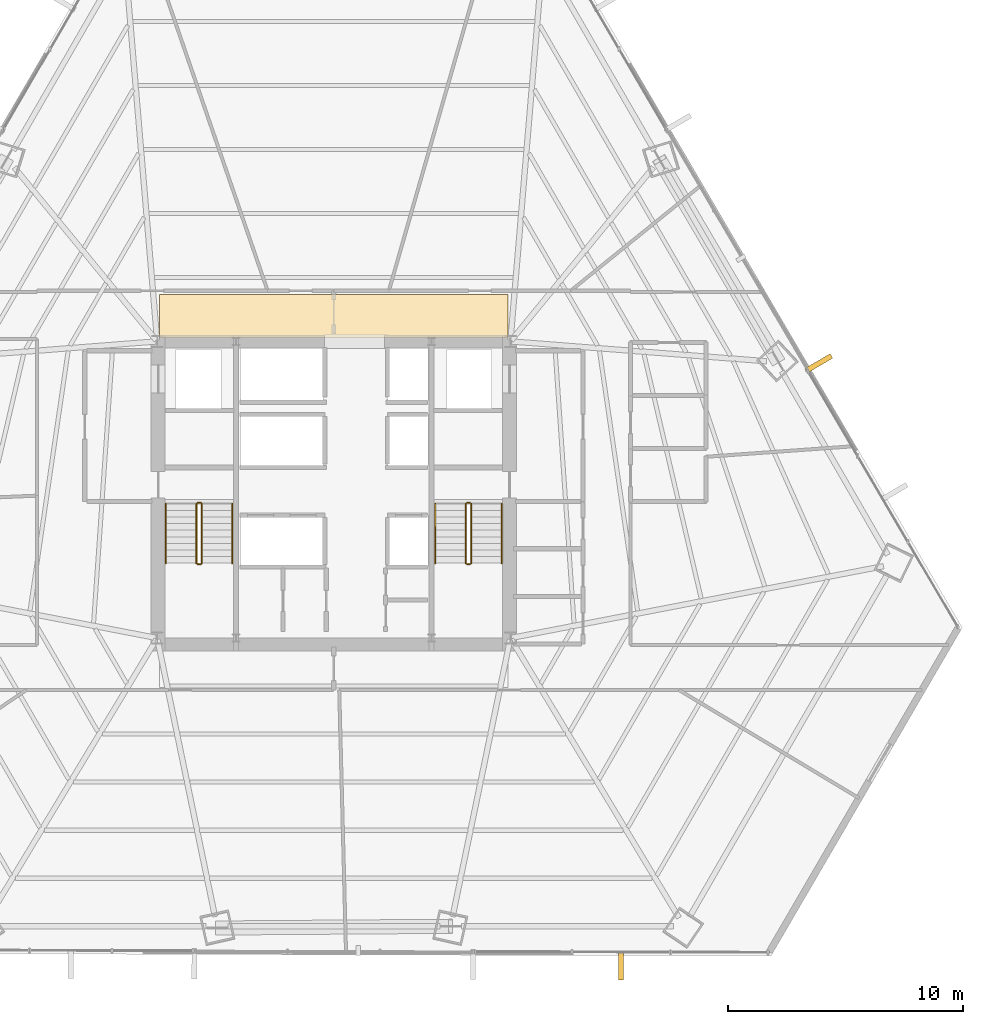
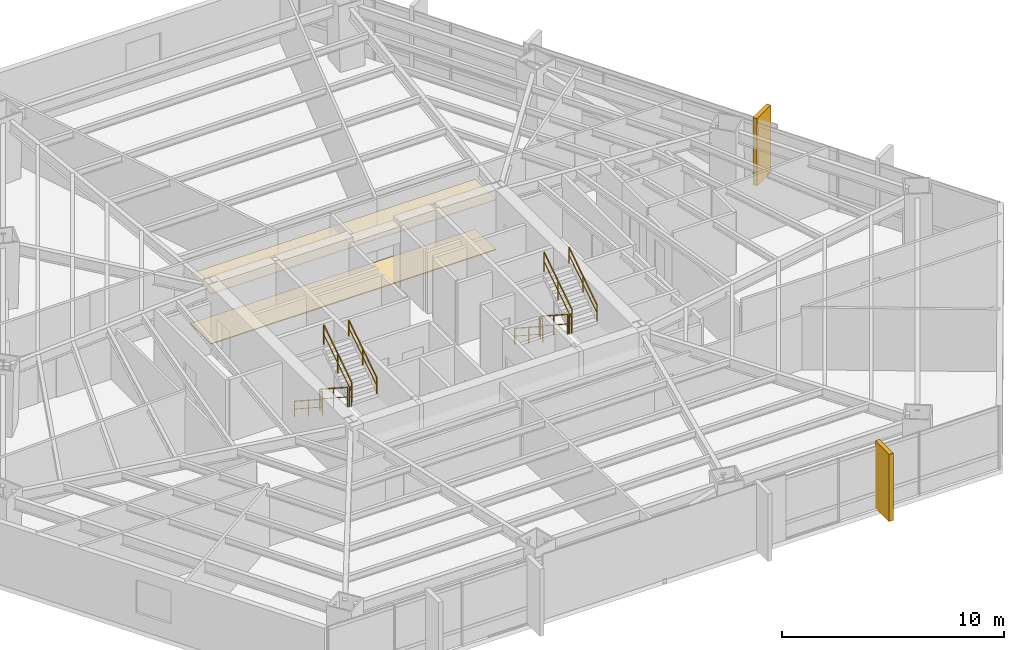
# One storey, part 32 of 33: 12 railings, 4 coverings.
"""IFC4 building model written with IfcOpenShell, lengths in metres."""

from ifc_helpers import new_model, si_unit, direction, frame, origin, origin_2d, place, context, subcontext, project, spatial, polyline, rectangle, outline, extrude, source, transform, mapped, material, layer, layer_set, type_object, type_shapes, element, save


model = new_model("IFC4")

# Units and contexts
model_context = context("Model", 3, precision=1e-05, world=origin(), true_north=direction((0.0, 1.0)))
body_context = subcontext(model_context, "Body", "Model", "MODEL_VIEW")
ifc_project = project(units=[si_unit("LENGTHUNIT", "METRE"), si_unit("AREAUNIT", "SQUARE_METRE"), si_unit("VOLUMEUNIT", "CUBIC_METRE"), si_unit("PLANEANGLEUNIT", "RADIAN"), si_unit("MASSUNIT", "GRAM", prefix="KILO")], contexts=[model_context])

# Site, building, storey
site_placement = place(None, origin())
site = spatial("IfcSite", under=ifc_project, at=site_placement, CompositionType="ELEMENT")
building_placement = place(site_placement, origin())
building = spatial("IfcBuilding", under=site, at=building_placement, Name="Caelisora Broadcast Tower", CompositionType="ELEMENT")
storey_placement = place(building_placement, frame((0.0, 0.0, 42.199951171875)))
storey = spatial("IfcBuildingStorey", under=building, at=storey_placement, Name="L10", CompositionType="ELEMENT", Elevation=42.199951171875)

# Coverings
ifc_material_1 = material(Name="Perforated Mineral-Fibre Acoustic Ceiling Tile", Category="gypsum")
ifc_layer_1 = layer(ifc_material_1, 0.034912109375, Name="Perforated Mineral-Fibre Acoustic Ceiling Tile")
ifc_layer_set_1 = layer_set([ifc_layer_1], Name="Perforated Mineral-Fibre Acoustic Ceiling Tile")
covering_type_1 = type_object("IfcCoveringType", Name="CE-1", PredefinedType="CEILING", material=ifc_layer_set_1)
covering_1_placement = place(storey_placement, frame((0.0, 0.0, 2.75)))
element("IfcCovering", 1, at=covering_1_placement, inside=storey, type_object=covering_type_1, Name="L10 acoustic corridor ceiling CE-1 (N)", PredefinedType="CEILING", context=body_context, shape_type="SweptSolid", body=[
    extrude(outline(polyline([(30.60009765625, 30.14990234375), (45.39990234375, 30.14990234375), (45.39990234375, 32.0), (30.60009765625, 32.0), (30.60009765625, 30.14990234375)])), origin(), (0.0, 0.0, 1.0), 0.03515625),
])
ifc_material_2 = material(Name="Anti-Static Broadcast Raised Access Floor Panel", Category="steel")
ifc_layer_2 = layer(ifc_material_2, 0.044921875, Name="Anti-Static Broadcast Raised Access Floor Panel")
ifc_layer_set_2 = layer_set([ifc_layer_2], Name="Anti-Static Broadcast Raised Access Floor Panel")
covering_type_2 = type_object("IfcCoveringType", Name="FL-1", PredefinedType="FLOORING", material=ifc_layer_set_2)
covering_2_placement = place(storey_placement, origin())
element("IfcCovering", 2, at=covering_2_placement, inside=storey, type_object=covering_type_2, Name="L10 broadcast raised access floor FL-1 (N)", PredefinedType="FLOORING", context=body_context, shape_type="SweptSolid", body=[
    extrude(outline(polyline([(30.60009765625, 30.14990234375), (45.39990234375, 30.14990234375), (45.39990234375, 32.0), (30.60009765625, 32.0), (30.60009765625, 30.14990234375)])), origin(), (0.0, 0.0, 1.0), 0.045166015625),
])

# Railings
ifc_material_3 = material(Name="Galvanised Steel Safety Guardrail", Category="steel")
ifc_layer_3 = layer(ifc_material_3, 0.048095703125, Name="Galvanised Steel Safety Guardrail")
ifc_layer_set_3 = layer_set([ifc_layer_3], Name="Galvanised Steel Safety Guardrail")
railing_type_1 = type_object("IfcRailingType", Name="GR-1", PredefinedType="GUARDRAIL", material=ifc_layer_set_3)
railing_1_placement = place(storey_placement, frame((32.169921875, 23.10009765625, 0.1826171875)))
element("IfcRailing", 3, at=railing_1_placement, inside=storey, type_object=railing_type_1, Name="L10 ST-1 stair guard 1", PredefinedType="GUARDRAIL", context=body_context, shape_type="SweptSolid", body=[
    extrude(rectangle(XDim=0.048095703125, YDim=0.048095703125, at=origin_2d()), frame((0.0, 0.0, 1.076171875), z_axis=(0.0, -0.837786554691, 0.545997883492), x_axis=(1.0, 0.0, 0.0)), (0.0, 0.0, 1.0), 3.008056640625),
    extrude(rectangle(XDim=0.03125, YDim=0.03125, at=origin_2d()), frame((0.0, 0.0, 0.550048828125), z_axis=(0.0, -0.837786554691, 0.545997883492), x_axis=(1.0, 0.0, 0.0)), (0.0, 0.0, 1.0), 3.008056640625),
    extrude(rectangle(XDim=0.0419921875, YDim=0.0419921875, at=origin_2d()), origin(), (0.0, 0.0, 1.0), 1.052001953125),
    extrude(rectangle(XDim=0.0419921875, YDim=0.0419921875, at=origin_2d()), frame((0.0, -1.260009765625, 0.8212890625)), (0.0, 0.0, 1.0), 1.052001953125),
    extrude(rectangle(XDim=0.0419921875, YDim=0.0419921875, at=origin_2d()), frame((0.0, -2.52001953125, 1.642333984375)), (0.0, 0.0, 1.0), 1.052001953125),
])
railing_2_placement = place(storey_placement, frame((32.219970703125, 20.530029296875, 1.824951171875)))
element("IfcRailing", 4, at=railing_2_placement, inside=storey, type_object=railing_type_1, Name="L10 ST-1 stair guard 2", PredefinedType="GUARDRAIL", context=body_context, shape_type="SweptSolid", body=[
    extrude(rectangle(XDim=0.048095703125, YDim=0.048095703125, at=origin_2d()), frame((0.0, 0.0, 1.076171875), z_axis=(1.0, 0.0, 0.0), x_axis=(0.0, 1.0, 0.0)), (0.0, 0.0, 1.0), 0.1201171875),
    extrude(rectangle(XDim=0.03125, YDim=0.03125, at=origin_2d()), frame((0.0, 0.0, 0.550048828125), z_axis=(1.0, 0.0, 0.0), x_axis=(0.0, 1.0, 0.0)), (0.0, 0.0, 1.0), 0.1201171875),
    extrude(rectangle(XDim=0.0419921875, YDim=0.0419921875, at=origin_2d()), origin(), (0.0, 0.0, 1.0), 1.052001953125),
    extrude(rectangle(XDim=0.0419921875, YDim=0.0419921875, at=origin_2d()), frame((0.1201171875, 0.0, 0.0)), (0.0, 0.0, 1.0), 1.052001953125),
])
railing_3_placement = place(storey_placement, frame((32.389892578125, 20.580078125, 2.007568359375)))
element("IfcRailing", 5, at=railing_3_placement, inside=storey, type_object=railing_type_1, Name="L10 ST-1 stair guard 3", PredefinedType="GUARDRAIL", context=body_context, shape_type="SweptSolid", body=[
    extrude(rectangle(XDim=0.048095703125, YDim=0.048095703125, at=origin_2d()), frame((0.0, 0.0, 1.076171875), z_axis=(0.0, 0.837749427056, 0.546054848405), x_axis=(-1.0, 0.0, 0.0)), (0.0, 0.0, 1.0), 3.008056640625),
    extrude(rectangle(XDim=0.03125, YDim=0.03125, at=origin_2d()), frame((0.0, 0.0, 0.550048828125), z_axis=(0.0, 0.837749427056, 0.546054848405), x_axis=(-1.0, 0.0, 0.0)), (0.0, 0.0, 1.0), 3.008056640625),
    extrude(rectangle(XDim=0.0419921875, YDim=0.0419921875, at=origin_2d()), origin(), (0.0, 0.0, 1.0), 1.052001953125),
    extrude(rectangle(XDim=0.0419921875, YDim=0.0419921875, at=origin_2d()), frame((0.0, 1.260009765625, 0.8212890625)), (0.0, 0.0, 1.0), 1.052001953125),
    extrude(rectangle(XDim=0.0419921875, YDim=0.0419921875, at=origin_2d()), frame((0.0, 2.52001953125, 1.642578125)), (0.0, 0.0, 1.0), 1.052001953125),
])
railing_4_placement = place(storey_placement, frame((32.219970703125, 23.14990234375, 0.0)))
element("IfcRailing", 6, at=railing_4_placement, inside=storey, type_object=railing_type_1, Name="L10 ST-1 stair guard 4", PredefinedType="GUARDRAIL", context=body_context, shape_type="SweptSolid", body=[
    extrude(rectangle(XDim=0.048095703125, YDim=0.048095703125, at=origin_2d()), frame((0.0, 0.0, 1.076171875), z_axis=(1.0, 0.0, 0.0), x_axis=(0.0, 1.0, 0.0)), (0.0, 0.0, 1.0), 0.1201171875),
    extrude(rectangle(XDim=0.03125, YDim=0.03125, at=origin_2d()), frame((0.0, 0.0, 0.550048828125), z_axis=(1.0, 0.0, 0.0), x_axis=(0.0, 1.0, 0.0)), (0.0, 0.0, 1.0), 0.1201171875),
    extrude(rectangle(XDim=0.0419921875, YDim=0.0419921875, at=origin_2d()), origin(), (0.0, 0.0, 1.0), 1.052001953125),
    extrude(rectangle(XDim=0.0419921875, YDim=0.0419921875, at=origin_2d()), frame((0.1201171875, 0.0, 0.0)), (0.0, 0.0, 1.0), 1.052001953125),
])
railing_5_placement = place(storey_placement, frame((43.610107421875, 23.10009765625, 0.1826171875)))
element("IfcRailing", 7, at=railing_5_placement, inside=storey, type_object=railing_type_1, Name="L10 ST-2 stair guard 1", PredefinedType="GUARDRAIL", context=body_context, shape_type="SweptSolid", body=[
    extrude(rectangle(XDim=0.048095703125, YDim=0.048095703125, at=origin_2d()), frame((0.0, 0.0, 1.076171875), z_axis=(0.0, -0.837786554691, 0.545997883492), x_axis=(1.0, 0.0, 0.0)), (0.0, 0.0, 1.0), 3.008056640625),
    extrude(rectangle(XDim=0.03125, YDim=0.03125, at=origin_2d()), frame((0.0, 0.0, 0.550048828125), z_axis=(0.0, -0.837786554691, 0.545997883492), x_axis=(1.0, 0.0, 0.0)), (0.0, 0.0, 1.0), 3.008056640625),
    extrude(rectangle(XDim=0.0419921875, YDim=0.0419921875, at=origin_2d()), origin(), (0.0, 0.0, 1.0), 1.052001953125),
    extrude(rectangle(XDim=0.0419921875, YDim=0.0419921875, at=origin_2d()), frame((0.0, -1.260009765625, 0.8212890625)), (0.0, 0.0, 1.0), 1.052001953125),
    extrude(rectangle(XDim=0.0419921875, YDim=0.0419921875, at=origin_2d()), frame((0.0, -2.52001953125, 1.642333984375)), (0.0, 0.0, 1.0), 1.052001953125),
])
railing_6_placement = place(storey_placement, frame((43.659912109375, 20.530029296875, 1.824951171875)))
element("IfcRailing", 8, at=railing_6_placement, inside=storey, type_object=railing_type_1, Name="L10 ST-2 stair guard 2", PredefinedType="GUARDRAIL", context=body_context, shape_type="SweptSolid", body=[
    extrude(rectangle(XDim=0.048095703125, YDim=0.048095703125, at=origin_2d()), frame((0.0, 0.0, 1.076171875), z_axis=(1.0, 0.0, 0.0), x_axis=(0.0, 1.0, 0.0)), (0.0, 0.0, 1.0), 0.1201171875),
    extrude(rectangle(XDim=0.03125, YDim=0.03125, at=origin_2d()), frame((0.0, 0.0, 0.550048828125), z_axis=(1.0, 0.0, 0.0), x_axis=(0.0, 1.0, 0.0)), (0.0, 0.0, 1.0), 0.1201171875),
    extrude(rectangle(XDim=0.0419921875, YDim=0.0419921875, at=origin_2d()), origin(), (0.0, 0.0, 1.0), 1.052001953125),
    extrude(rectangle(XDim=0.0419921875, YDim=0.0419921875, at=origin_2d()), frame((0.1201171875, 0.0, 0.0)), (0.0, 0.0, 1.0), 1.052001953125),
])
railing_7_placement = place(storey_placement, frame((43.830078125, 20.580078125, 2.007568359375)))
element("IfcRailing", 9, at=railing_7_placement, inside=storey, type_object=railing_type_1, Name="L10 ST-2 stair guard 3", PredefinedType="GUARDRAIL", context=body_context, shape_type="SweptSolid", body=[
    extrude(rectangle(XDim=0.048095703125, YDim=0.048095703125, at=origin_2d()), frame((0.0, 0.0, 1.076171875), z_axis=(0.0, 0.837749427056, 0.546054848405), x_axis=(-1.0, 0.0, 0.0)), (0.0, 0.0, 1.0), 3.008056640625),
    extrude(rectangle(XDim=0.03125, YDim=0.03125, at=origin_2d()), frame((0.0, 0.0, 0.550048828125), z_axis=(0.0, 0.837749427056, 0.546054848405), x_axis=(-1.0, 0.0, 0.0)), (0.0, 0.0, 1.0), 3.008056640625),
    extrude(rectangle(XDim=0.0419921875, YDim=0.0419921875, at=origin_2d()), origin(), (0.0, 0.0, 1.0), 1.052001953125),
    extrude(rectangle(XDim=0.0419921875, YDim=0.0419921875, at=origin_2d()), frame((0.0, 1.260009765625, 0.8212890625)), (0.0, 0.0, 1.0), 1.052001953125),
    extrude(rectangle(XDim=0.0419921875, YDim=0.0419921875, at=origin_2d()), frame((0.0, 2.52001953125, 1.642578125)), (0.0, 0.0, 1.0), 1.052001953125),
])
railing_8_placement = place(storey_placement, frame((43.659912109375, 23.14990234375, 0.0)))
element("IfcRailing", 10, at=railing_8_placement, inside=storey, type_object=railing_type_1, Name="L10 ST-2 stair guard 4", PredefinedType="GUARDRAIL", context=body_context, shape_type="SweptSolid", body=[
    extrude(rectangle(XDim=0.048095703125, YDim=0.048095703125, at=origin_2d()), frame((0.0, 0.0, 1.076171875), z_axis=(1.0, 0.0, 0.0), x_axis=(0.0, 1.0, 0.0)), (0.0, 0.0, 1.0), 0.1201171875),
    extrude(rectangle(XDim=0.03125, YDim=0.03125, at=origin_2d()), frame((0.0, 0.0, 0.550048828125), z_axis=(1.0, 0.0, 0.0), x_axis=(0.0, 1.0, 0.0)), (0.0, 0.0, 1.0), 0.1201171875),
    extrude(rectangle(XDim=0.0419921875, YDim=0.0419921875, at=origin_2d()), origin(), (0.0, 0.0, 1.0), 1.052001953125),
    extrude(rectangle(XDim=0.0419921875, YDim=0.0419921875, at=origin_2d()), frame((0.1201171875, 0.0, 0.0)), (0.0, 0.0, 1.0), 1.052001953125),
])
ifc_material_4 = material(Name="Stainless Steel Grade 316 Tubular Handrail", Category="steel")
ifc_layer_4 = layer(ifc_material_4, 0.048095703125, Name="Stainless Steel Grade 316 Tubular Handrail")
ifc_layer_set_4 = layer_set([ifc_layer_4], Name="Stainless Steel Grade 316 Tubular Handrail")
railing_type_2 = type_object("IfcRailingType", Name="HR-1", PredefinedType="HANDRAIL", material=ifc_layer_set_4)
railing_9_placement = place(storey_placement, frame((30.8701171875, 23.10009765625, 0.1826171875)))
element("IfcRailing", 11, at=railing_9_placement, inside=storey, type_object=railing_type_2, Name="L10 ST-1 stair handrail 1", PredefinedType="HANDRAIL", context=body_context, shape_type="SweptSolid", body=[
    extrude(rectangle(XDim=0.048095703125, YDim=0.048095703125, at=origin_2d()), frame((0.0, 0.0, 0.8759765625), z_axis=(0.0, -0.837786554691, 0.545997883492), x_axis=(1.0, 0.0, 0.0)), (0.0, 0.0, 1.0), 3.008056640625),
    extrude(rectangle(XDim=0.03125, YDim=0.03125, at=origin_2d()), frame((0.0, 0.0, 0.449951171875), z_axis=(0.0, -0.837786554691, 0.545997883492), x_axis=(1.0, 0.0, 0.0)), (0.0, 0.0, 1.0), 3.008056640625),
    extrude(rectangle(XDim=0.0419921875, YDim=0.0419921875, at=origin_2d()), origin(), (0.0, 0.0, 1.0), 0.851806640625),
    extrude(rectangle(XDim=0.0419921875, YDim=0.0419921875, at=origin_2d()), frame((0.0, -1.260009765625, 0.8212890625)), (0.0, 0.0, 1.0), 0.851806640625),
    extrude(rectangle(XDim=0.0419921875, YDim=0.0419921875, at=origin_2d()), frame((0.0, -2.52001953125, 1.642333984375)), (0.0, 0.0, 1.0), 0.851806640625),
])
railing_10_placement = place(storey_placement, frame((33.68994140625, 20.580078125, 2.007568359375)))
element("IfcRailing", 12, at=railing_10_placement, inside=storey, type_object=railing_type_2, Name="L10 ST-1 stair handrail 2", PredefinedType="HANDRAIL", context=body_context, shape_type="SweptSolid", body=[
    extrude(rectangle(XDim=0.048095703125, YDim=0.048095703125, at=origin_2d()), frame((0.0, 0.0, 0.8759765625), z_axis=(0.0, 0.837749427056, 0.546054848405), x_axis=(-1.0, 0.0, 0.0)), (0.0, 0.0, 1.0), 3.008056640625),
    extrude(rectangle(XDim=0.03125, YDim=0.03125, at=origin_2d()), frame((0.0, 0.0, 0.449951171875), z_axis=(0.0, 0.837749427056, 0.546054848405), x_axis=(-1.0, 0.0, 0.0)), (0.0, 0.0, 1.0), 3.008056640625),
    extrude(rectangle(XDim=0.0419921875, YDim=0.0419921875, at=origin_2d()), origin(), (0.0, 0.0, 1.0), 0.851806640625),
    extrude(rectangle(XDim=0.0419921875, YDim=0.0419921875, at=origin_2d()), frame((0.0, 1.260009765625, 0.8212890625)), (0.0, 0.0, 1.0), 0.851806640625),
    extrude(rectangle(XDim=0.0419921875, YDim=0.0419921875, at=origin_2d()), frame((0.0, 2.52001953125, 1.642578125)), (0.0, 0.0, 1.0), 0.851806640625),
])
railing_11_placement = place(storey_placement, frame((42.31005859375, 23.10009765625, 0.1826171875)))
element("IfcRailing", 13, at=railing_11_placement, inside=storey, type_object=railing_type_2, Name="L10 ST-2 stair handrail 1", PredefinedType="HANDRAIL", context=body_context, shape_type="SweptSolid", body=[
    extrude(rectangle(XDim=0.048095703125, YDim=0.048095703125, at=origin_2d()), frame((0.0, 0.0, 0.8759765625), z_axis=(0.0, -0.837786554691, 0.545997883492), x_axis=(1.0, 0.0, 0.0)), (0.0, 0.0, 1.0), 3.008056640625),
    extrude(rectangle(XDim=0.03125, YDim=0.03125, at=origin_2d()), frame((0.0, 0.0, 0.449951171875), z_axis=(0.0, -0.837786554691, 0.545997883492), x_axis=(1.0, 0.0, 0.0)), (0.0, 0.0, 1.0), 3.008056640625),
    extrude(rectangle(XDim=0.0419921875, YDim=0.0419921875, at=origin_2d()), origin(), (0.0, 0.0, 1.0), 0.851806640625),
    extrude(rectangle(XDim=0.0419921875, YDim=0.0419921875, at=origin_2d()), frame((0.0, -1.260009765625, 0.8212890625)), (0.0, 0.0, 1.0), 0.851806640625),
    extrude(rectangle(XDim=0.0419921875, YDim=0.0419921875, at=origin_2d()), frame((0.0, -2.52001953125, 1.642333984375)), (0.0, 0.0, 1.0), 0.851806640625),
])
railing_12_placement = place(storey_placement, frame((45.1298828125, 20.580078125, 2.007568359375)))
element("IfcRailing", 14, at=railing_12_placement, inside=storey, type_object=railing_type_2, Name="L10 ST-2 stair handrail 2", PredefinedType="HANDRAIL", context=body_context, shape_type="SweptSolid", body=[
    extrude(rectangle(XDim=0.048095703125, YDim=0.048095703125, at=origin_2d()), frame((0.0, 0.0, 0.8759765625), z_axis=(0.0, 0.837749427056, 0.546054848405), x_axis=(-1.0, 0.0, 0.0)), (0.0, 0.0, 1.0), 3.008056640625),
    extrude(rectangle(XDim=0.03125, YDim=0.03125, at=origin_2d()), frame((0.0, 0.0, 0.449951171875), z_axis=(0.0, 0.837749427056, 0.546054848405), x_axis=(-1.0, 0.0, 0.0)), (0.0, 0.0, 1.0), 3.008056640625),
    extrude(rectangle(XDim=0.0419921875, YDim=0.0419921875, at=origin_2d()), origin(), (0.0, 0.0, 1.0), 0.851806640625),
    extrude(rectangle(XDim=0.0419921875, YDim=0.0419921875, at=origin_2d()), frame((0.0, 1.260009765625, 0.8212890625)), (0.0, 0.0, 1.0), 0.851806640625),
    extrude(rectangle(XDim=0.0419921875, YDim=0.0419921875, at=origin_2d()), frame((0.0, 2.52001953125, 1.642578125)), (0.0, 0.0, 1.0), 0.851806640625),
])

# Coverings
ifc_material_5 = material(Name="Kiln-Fired Terracotta Spandrel Rainscreen Cladding", Category="ceramic")
ifc_layer_5 = layer(ifc_material_5, 0.044921875, Name="Kiln-Fired Terracotta Spandrel Rainscreen Cladding")
ifc_layer_set_5 = layer_set([ifc_layer_5], Name="Kiln-Fired Terracotta Spandrel Rainscreen Cladding")
covering_type_3 = type_object("IfcCoveringType", Name="CL-1", PredefinedType="CLADDING", material=ifc_layer_set_5)
shared_shape = source(origin(), body_context, "Body", "SweptSolid", [
    extrude(rectangle(XDim=0.219970703125, YDim=1.25, at=origin_2d()), origin(), (0.0, 0.0, 1.0), 3.68994140625),
])
type_shapes(covering_type_3, [shared_shape])
for number, where, z_axis, x_axis, name in (
    (15, (58.5908203125, 29.065673828125, -0.02001953125), (0.0, 0.0, 1.0), (0.505732659231, -0.862690255763, 0.0), "L10 vertical solar fin cladding #1-3"),
    (16, (50.198974609375, 3.506591796875, -0.02001953125), (0.0, 0.0, 1.0), (-0.9999961009, 0.002792523174, 0.0), "L10 vertical solar fin cladding #2-1"),
):
    element("IfcCovering", number, at=place(storey_placement, frame(where, z_axis=z_axis, x_axis=x_axis)), inside=storey, type_object=covering_type_3, Name=name, PredefinedType="CLADDING", context=body_context, shape_type="MappedRepresentation", body=[
        mapped(shared_shape, transform((0.0, 0.0, 0.0), scale=1.0)),
    ])

save(model, "model.ifc")
